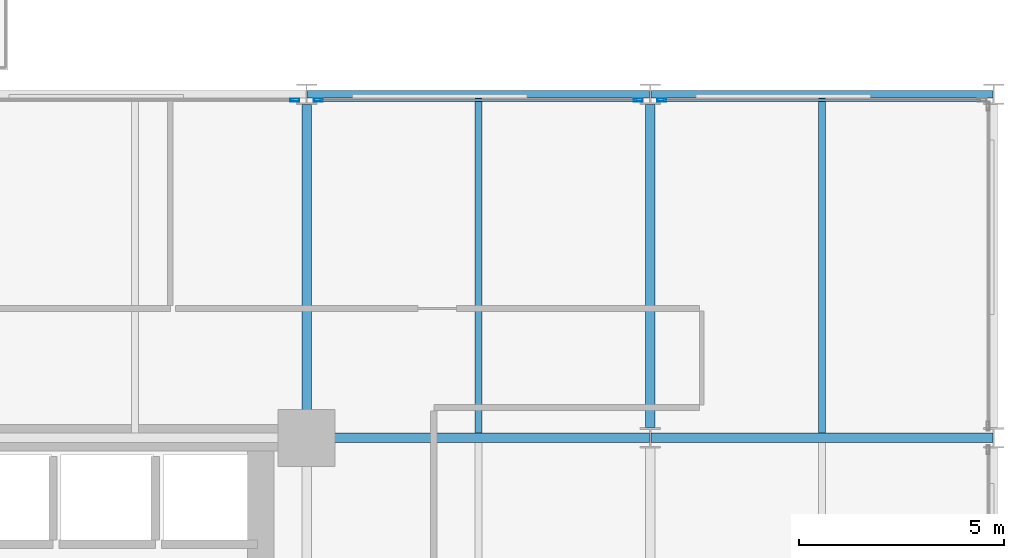
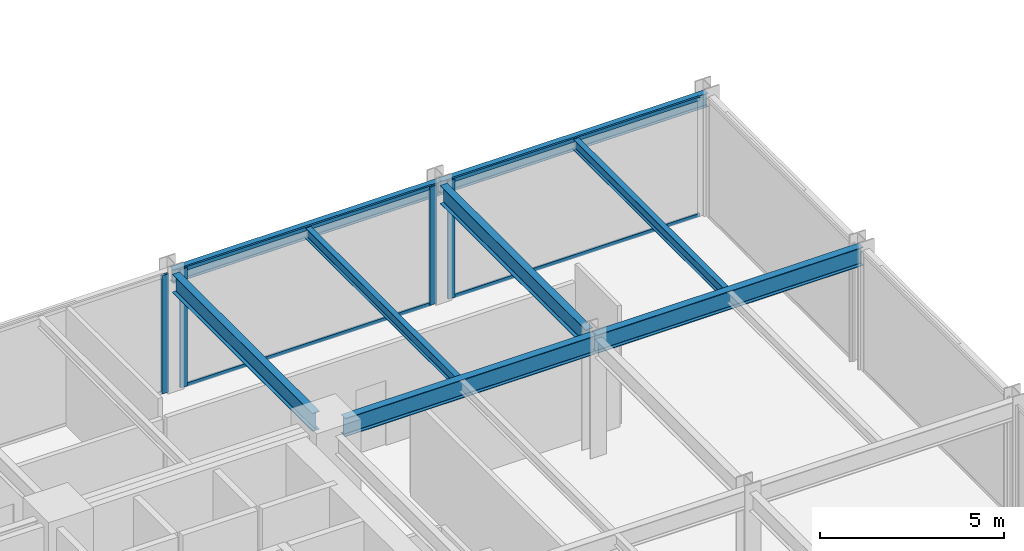
# One storey, part 12 of 24: 8 beams, 8 members, 3 elements without a shape of their own.
"""IFC4 building model written with IfcOpenShell, lengths in metres."""

import ifcopenshell
import ifcopenshell.guid

model = None  # the IFC model being written
_history = None  # IfcOwnerHistory: only IFC2X3 demands one
_inside = {}  # id of a spatial element -> (the spatial element, [elements in it])
_under = {}  # id of a project, library or spatial element -> (it, [spatial elements below it])
_declared = {}  # id of a project -> (the project, [libraries it declares])
_typed = {}  # id of a type object -> (the type object, [elements of that type])
_made_of = {}  # id of a material, layer set ... -> (it, [elements and type objects made of it])


def new_model(schema):
    """Start an empty IFC model of exactly this schema.

    Asked for "IFC4X3", IfcOpenShell would pick the latest addendum, in which some entities
    have other attributes; the version numbers below select the first issue.
    IFC2X3 requires an IfcOwnerHistory on every rooted entity: one is made here for all.
    """
    global model, _history
    if schema == "IFC4X3":
        model = ifcopenshell.file(schema_version=(4, 3, 0, 0))
    else:
        model = ifcopenshell.file(schema=schema)
    _inside.clear()
    _under.clear()
    _declared.clear()
    _typed.clear()
    _made_of.clear()
    _history = None
    if model.schema == "IFC2X3":
        org = make("IfcOrganization", Name="unknown")
        user = make(
            "IfcPersonAndOrganization",
            ThePerson=make("IfcPerson", FamilyName="unknown"),
            TheOrganization=org,
        )
        app = make(
            "IfcApplication",
            ApplicationDeveloper=org,
            Version="unknown",
            ApplicationFullName="unknown",
            ApplicationIdentifier="unknown",
        )
        _history = make(
            "IfcOwnerHistory",
            OwningUser=user,
            OwningApplication=app,
            ChangeAction="ADDED",
            CreationDate=0,
        )
    return model


def make(cls, **values):
    """One entity of the class cls with the attributes given. An attribute that is None is left unset."""
    return model.create_entity(
        cls, **{name: value for name, value in values.items() if value is not None}
    )


def rooted(cls, **values):
    """An entity with a GlobalId (a new one), such as an element, a storey or a relation."""
    return make(cls, GlobalId=ifcopenshell.guid.new(), OwnerHistory=_history, **values)


def si_unit(unit_type, name, prefix=None):
    """IfcSIUnit, for example si_unit("LENGTHUNIT", "METRE", prefix="MILLI")."""
    return make("IfcSIUnit", UnitType=unit_type, Prefix=prefix, Name=name)


def assignment(units):
    """IfcUnitAssignment: the units of a project."""
    return None if units is None else make("IfcUnitAssignment", Units=units)


def point(xyz):
    """IfcCartesianPoint."""
    return None if xyz is None else make("IfcCartesianPoint", Coordinates=xyz)


def direction(xyz):
    """IfcDirection."""
    return None if xyz is None else make("IfcDirection", DirectionRatios=xyz)


def frame(location, z_axis=None, x_axis=None):
    """IfcAxis2Placement3D, a coordinate frame: its origin and axes. An axis left out is left unset."""
    return make(
        "IfcAxis2Placement3D",
        Location=point(location),
        Axis=direction(z_axis),
        RefDirection=direction(x_axis),
    )


def frame_2d(location, x_axis=None):
    """IfcAxis2Placement2D, a coordinate frame in the plane: its origin and x axis."""
    return make(
        "IfcAxis2Placement2D", Location=point(location), RefDirection=direction(x_axis)
    )


def origin():
    """The frame at (0, 0, 0) with its axes left unset."""
    return frame((0.0, 0.0, 0.0))


def origin_2d():
    """The frame at (0, 0) in the plane with its x axis left unset."""
    return frame_2d((0.0, 0.0))


def place(relative_to, where):
    """IfcLocalPlacement: puts the frame where relative to a parent placement (None: the world)."""
    return make(
        "IfcLocalPlacement", PlacementRelTo=relative_to, RelativePlacement=where
    )


def context(
    kind, dimensions, precision=None, world=None, true_north=None, identifier=None
):
    """IfcGeometricRepresentationContext, for example the 3D "Model" context."""
    return make(
        "IfcGeometricRepresentationContext",
        ContextIdentifier=identifier,
        ContextType=kind,
        CoordinateSpaceDimension=dimensions,
        Precision=precision,
        WorldCoordinateSystem=world,
        TrueNorth=true_north,
    )


def subcontext(parent, identifier, kind, view, scale=None):
    """IfcGeometricRepresentationSubContext, for example "Body" below "Model"."""
    return make(
        "IfcGeometricRepresentationSubContext",
        ContextIdentifier=identifier,
        ContextType=kind,
        ParentContext=parent,
        TargetScale=scale,
        TargetView=view,
    )


def project(units=None, contexts=None):
    """IfcProject with its units and contexts."""
    return rooted(
        "IfcProject",
        Name="project",
        RepresentationContexts=contexts,
        UnitsInContext=assignment(units),
    )


def spatial(cls, under=None, at=None, **own):
    """A site, building, storey or space (cls), placed at a placement, below another one or the project."""
    s = rooted(cls, ObjectPlacement=at, **own)
    if under is not None:
        _under.setdefault(under.id(), (under, []))[1].append(s)
    return s


def profile(cls, at=None, kind="AREA", **sizes):
    """A parametric profile (cls). Its sizes go by their IFC names, for example OverallWidth=200.0."""
    return make(cls, ProfileType=kind, Position=at, **sizes)


def hollow_rectangle(**sizes):
    """IfcRectangleHollowProfileDef."""
    return profile("IfcRectangleHollowProfileDef", **sizes)


def i_section(**sizes):
    """IfcIShapeProfileDef."""
    return profile("IfcIShapeProfileDef", **sizes)


def extrude(swept, where, along, depth):
    """IfcExtrudedAreaSolid: the profile swept, set in the frame where, extruded along a direction by depth."""
    return make(
        "IfcExtrudedAreaSolid",
        SweptArea=swept,
        Position=where,
        ExtrudedDirection=direction(along),
        Depth=depth,
    )


def shape(context_of_items, identifier, shape_type, items):
    """IfcShapeRepresentation: the items that make up one representation, for example the "Body"."""
    return make(
        "IfcShapeRepresentation",
        ContextOfItems=context_of_items,
        RepresentationIdentifier=identifier,
        RepresentationType=shape_type,
        Items=items,
    )


def material(Name=None, Category=None):
    """IfcMaterial."""
    return make("IfcMaterial", Name=Name, Category=Category)


def layer(
    of_material, thickness, ventilated=None, Name=None, Category=None, Priority=None
):
    """IfcMaterialLayer: one layer of a wall or slab, of a material (None: an air gap)."""
    return make(
        "IfcMaterialLayer",
        Material=of_material,
        LayerThickness=thickness,
        IsVentilated=ventilated,
        Name=Name,
        Category=Category,
        Priority=Priority,
    )


def layer_set(layers, Name=None):
    """IfcMaterialLayerSet."""
    return make("IfcMaterialLayerSet", MaterialLayers=layers, LayerSetName=Name)


def material_profile(
    of_material, cross_section, Name=None, Category=None, Priority=None
):
    """IfcMaterialProfile: a cross section and its material."""
    return make(
        "IfcMaterialProfile",
        Name=Name,
        Material=of_material,
        Profile=cross_section,
        Priority=Priority,
        Category=Category,
    )


def profile_set(profiles, Name=None, composite=None):
    """IfcMaterialProfileSet."""
    return make(
        "IfcMaterialProfileSet",
        Name=Name,
        MaterialProfiles=profiles,
        CompositeProfile=composite,
    )


def made_of(thing, what):
    """Note that an element or type object is made of a material, layer set ...; save() writes the relation."""
    if what is not None:
        _made_of.setdefault(what.id(), (what, []))[1].append(thing)
    return thing


def type_object(cls, material=None, **own):
    """A type object (cls), such as IfcWallType, which elements share."""
    return made_of(rooted(cls, **own), material)


def element(
    cls,
    number,
    at=None,
    inside=None,
    cuts=None,
    type_object=None,
    material=None,
    context=None,
    identifier="Body",
    shape_type=None,
    held_by="IfcProductDefinitionShape",
    body=None,
    shapes=None,
    **own,
):
    """One element of the class cls, such as IfcWall. Its Tag is "e" and its number.

    at: its placement. inside: the storey or other place that contains it. cuts: it is an
    opening in that element (IfcRelVoidsElement). A single representation is given by context,
    identifier, shape_type and body (its items); several are given by shapes. held_by: the class
    of the entity that holds the representations. save() writes the other relations.
    """
    e = rooted(cls, Tag="e%d" % number, ObjectPlacement=at, **own)
    if body is not None:
        shapes = [shape(context, identifier, shape_type, body)]
    if shapes is not None:
        e.Representation = make(held_by, Representations=shapes)
    if inside is not None:
        _inside.setdefault(inside.id(), (inside, []))[1].append(e)
    if cuts is not None:
        rooted(
            "IfcRelVoidsElement", RelatingBuildingElement=cuts, RelatedOpeningElement=e
        )
    if type_object is not None:
        _typed.setdefault(type_object.id(), (type_object, []))[1].append(e)
    return made_of(e, material)


def aggregate(whole, parts):
    """IfcRelAggregates: a whole, such as a stair, and the parts it consists of."""
    return rooted("IfcRelAggregates", RelatingObject=whole, RelatedObjects=parts)


def save(model, path):
    """Write the relations noted so far, then the file.

    IfcRelAggregates (storeys below a building ...), IfcRelContainedInSpatialStructure (elements
    in a storey), IfcRelDefinesByType, IfcRelAssociatesMaterial and IfcRelDeclares: one each for
    every whole, place, type object, material and project.
    """
    for whole, parts in _under.values():
        aggregate(whole, parts)
    for where, things in _inside.values():
        rooted(
            "IfcRelContainedInSpatialStructure",
            RelatedElements=things,
            RelatingStructure=where,
        )
    for kind, things in _typed.values():
        rooted("IfcRelDefinesByType", RelatedObjects=things, RelatingType=kind)
    for what, things in _made_of.values():
        rooted("IfcRelAssociatesMaterial", RelatedObjects=things, RelatingMaterial=what)
    for by, libraries in _declared.values():
        rooted("IfcRelDeclares", RelatingContext=by, RelatedDefinitions=libraries)
    model.write(path)


model = new_model("IFC4")

# Units and contexts
model_context = context("Model", 3, precision=1e-05, world=origin(), true_north=direction((0.0, 1.0)))
body_context = subcontext(model_context, "Body", "Model", "MODEL_VIEW")
ifc_project = project(units=[si_unit("LENGTHUNIT", "METRE"), si_unit("AREAUNIT", "SQUARE_METRE"), si_unit("VOLUMEUNIT", "CUBIC_METRE"), si_unit("PLANEANGLEUNIT", "RADIAN"), si_unit("MASSUNIT", "GRAM", prefix="KILO")], contexts=[model_context])

# Site, building, storey
site_placement = place(None, origin())
site = spatial("IfcSite", under=ifc_project, at=site_placement, CompositionType="ELEMENT")
building_placement = place(site_placement, origin())
building = spatial("IfcBuilding", under=site, at=building_placement, Name="Nerrivon Quay Data Exchange", CompositionType="ELEMENT")
storey_placement = place(building_placement, frame((0.0, 0.0, 37.39990234375)))
storey = spatial("IfcBuildingStorey", under=building, at=storey_placement, Name="L08", CompositionType="ELEMENT", Elevation=37.39990234375)

# Beams
ifc_material_1 = material(Name="Steel Grade 350", Category="steel")
ifc_material_profile_1 = material_profile(ifc_material_1, i_section(OverallWidth=0.22900390625, OverallDepth=0.612060546875, WebThickness=0.011962890625, FlangeThickness=0.01953125, FilletRadius=0.013916015625, at=origin_2d()), Name="610UB125")
ifc_profile_set_1 = profile_set([ifc_material_profile_1], Name="Steel Grade 350")
beam_type_1 = type_object("IfcBeamType", Name="BM-G1-610UB125", PredefinedType="BEAM", material=ifc_profile_set_1)
beam_1_placement = place(storey_placement, frame((34.139892578125, 16.800048828125, 3.619140625), z_axis=(1.0, 0.0, 0.0), x_axis=(0.0, 1.0, 0.0)))
element("IfcBeam", 1, at=beam_1_placement, inside=storey, type_object=beam_type_1, Name="L08 EW Girder Y=16.8 (33.6..42.0)", PredefinedType="BEAM", context=body_context, shape_type="SweptSolid", body=[
    extrude(i_section(OverallWidth=0.22900390625, OverallDepth=0.612060546875, WebThickness=0.011962890625, FlangeThickness=0.01953125, FilletRadius=0.013916015625, at=origin_2d()), origin(), (0.0, 0.0, 1.0), 7.84619140625),
])
beam_2_placement = place(storey_placement, frame((42.013916015625, 16.800048828125, 3.619140625), z_axis=(1.0, 0.0, 0.0), x_axis=(0.0, 1.0, 0.0)))
element("IfcBeam", 2, at=beam_2_placement, inside=storey, type_object=beam_type_1, Name="L08 EW Girder Y=16.8 (42.0..50.4)", PredefinedType="BEAM", context=body_context, shape_type="SweptSolid", body=[
    extrude(i_section(OverallWidth=0.22900390625, OverallDepth=0.612060546875, WebThickness=0.011962890625, FlangeThickness=0.01953125, FilletRadius=0.013916015625, at=origin_2d()), origin(), (0.0, 0.0, 1.0), 8.3720703125),
])
ifc_material_profile_2 = material_profile(ifc_material_1, i_section(OverallWidth=0.22802734375, OverallDepth=0.60205078125, WebThickness=0.010498046875, FlangeThickness=0.014892578125, FilletRadius=0.013916015625, at=origin_2d()), Name="610UB101")
ifc_profile_set_2 = profile_set([ifc_material_profile_2], Name="Steel Grade 350")
beam_type_2 = type_object("IfcBeamType", Name="BM-G2-610UB101", PredefinedType="BEAM", material=ifc_profile_set_2)
beam_3_placement = place(storey_placement, frame((33.60009765625, 17.340087890625, 3.6240234375), z_axis=(0.0, 1.0, 0.0), x_axis=(-1.0, 0.0, 0.0)))
element("IfcBeam", 3, at=beam_3_placement, inside=storey, type_object=beam_type_2, Name="L08 NS Girder X=33.6 (16.8..25.2)", PredefinedType="BEAM", context=body_context, shape_type="SweptSolid", body=[
    extrude(i_section(OverallWidth=0.22802734375, OverallDepth=0.60205078125, WebThickness=0.010498046875, FlangeThickness=0.014892578125, FilletRadius=0.013916015625, at=origin_2d()), origin(), (0.0, 0.0, 1.0), 7.60986328125),
])
beam_4_placement = place(storey_placement, frame((42.0, 17.050048828125, 3.6240234375), z_axis=(0.0, 1.0, 0.0), x_axis=(-1.0, 0.0, 0.0)))
element("IfcBeam", 4, at=beam_4_placement, inside=storey, type_object=beam_type_2, Name="L08 NS Girder X=42.0 (16.8..25.2)", PredefinedType="BEAM", context=body_context, shape_type="SweptSolid", body=[
    extrude(i_section(OverallWidth=0.22802734375, OverallDepth=0.60205078125, WebThickness=0.010498046875, FlangeThickness=0.014892578125, FilletRadius=0.013916015625, at=origin_2d()), origin(), (0.0, 0.0, 1.0), 7.89990234375),
])
ifc_material_profile_3 = material_profile(ifc_material_1, i_section(OverallWidth=0.172119140625, OverallDepth=0.35888671875, WebThickness=0.008056640625, FlangeThickness=0.012939453125, FilletRadius=0.011474609375, at=origin_2d()), Name="360UB56.7")
ifc_profile_set_3 = profile_set([ifc_material_profile_3], Name="Steel Grade 350")
beam_type_3 = type_object("IfcBeamType", Name="BM-J3-360UB57", PredefinedType="JOIST", material=ifc_profile_set_3)
for number, where, z_axis, x_axis, name in (
    (5, (37.800048828125, 16.91455078125, 3.74560546875), (0.0, 1.0, 0.0), (-1.0, 0.0, 0.0), "L08 Secondary Joist X=37.8 (16.8..25.2)"),
    (6, (46.199951171875, 16.91455078125, 3.74560546875), (0.0, 1.0, 0.0), (-1.0, 0.0, 0.0), "L08 Secondary Joist X=46.2 (16.8..25.2)"),
):
    element("IfcBeam", number, at=place(storey_placement, frame(where, z_axis=z_axis, x_axis=x_axis)), inside=storey, type_object=beam_type_3, Name=name, PredefinedType="JOIST", context=body_context, shape_type="SweptSolid", body=[
        extrude(i_section(OverallWidth=0.172119140625, OverallDepth=0.35888671875, WebThickness=0.008056640625, FlangeThickness=0.012939453125, FilletRadius=0.011474609375, at=origin_2d()), origin(), (0.0, 0.0, 1.0), 8.1904296875),
    ])
ifc_material_profile_4 = material_profile(ifc_material_1, i_section(OverallWidth=0.18994140625, OverallDepth=0.4541015625, WebThickness=0.008544921875, FlangeThickness=0.0126953125, FilletRadius=0.011474609375, at=origin_2d()), Name="460UB67.1")
ifc_profile_set_4 = profile_set([ifc_material_profile_4], Name="Steel Grade 350")
beam_type_4 = type_object("IfcBeamType", Name="BM-SP1-460UB67", PredefinedType="SPANDREL", material=ifc_profile_set_4)
for number, where, z_axis, x_axis, name in (
    (7, (33.614013671875, 25.199951171875, 3.697998046875), (1.0, 0.0, 0.0), (0.0, 1.0, 0.0), "L08 EW Girder Y=25.2 (33.6..42.0)"),
    (8, (42.013916015625, 25.199951171875, 3.697998046875), (1.0, 0.0, 0.0), (0.0, 1.0, 0.0), "L08 EW Girder Y=25.2 (42.0..50.4)"),
):
    element("IfcBeam", number, at=place(storey_placement, frame(where, z_axis=z_axis, x_axis=x_axis)), inside=storey, type_object=beam_type_4, Name=name, PredefinedType="SPANDREL", context=body_context, shape_type="SweptSolid", body=[
        extrude(i_section(OverallWidth=0.18994140625, OverallDepth=0.4541015625, WebThickness=0.008544921875, FlangeThickness=0.0126953125, FilletRadius=0.011474609375, at=origin_2d()), origin(), (0.0, 0.0, 1.0), 8.3720703125),
    ])

# Curtain wall, member
ifc_material_2 = material(Name="Anodised aluminium 6063-T6", Category="aluminium")
ifc_layer = layer(ifc_material_2, 0.219970703125)
ifc_layer_set = layer_set([ifc_layer], Name="Anodised aluminium 6063-T6")
curtain_wall_type = type_object("IfcCurtainWallType", Name="CW-SYS-01", PredefinedType="NOTDEFINED", material=ifc_layer_set)
curtain_wall_1_placement = place(storey_placement, origin())
curtain_wall_1 = element("IfcCurtainWall", 9, at=curtain_wall_1_placement, inside=storey, type_object=curtain_wall_type, Name="L08 Unitised Curtain Wall 28", PredefinedType="NOTDEFINED")
ifc_material_profile_5 = material_profile(ifc_material_2, hollow_rectangle(XDim=0.074951171875, YDim=0.219970703125, WallThickness=0.00390625, at=origin_2d()), Name="ALU-MULL-220x75")
ifc_profile_set_5 = profile_set([ifc_material_profile_5], Name="Anodised aluminium 6063-T6")
member_type_1 = type_object("IfcMemberType", Name="CWM-220x75", PredefinedType="MULLION", material=ifc_profile_set_5)
member_1_placement = place(storey_placement, frame((33.3125, 25.06005859375, 0.0), z_axis=(0.0, 0.0, 1.0), x_axis=(0.0, 1.0, 0.0)))
member_1 = element("IfcMember", 10, at=member_1_placement, type_object=member_type_1, Name="CW01 mullion 2", PredefinedType="MULLION", context=body_context, shape_type="SweptSolid", body=[
    extrude(hollow_rectangle(XDim=0.074951171875, YDim=0.219970703125, WallThickness=0.00390625, at=origin_2d()), origin(), (0.0, 0.0, 1.0), 3.925048828125),
])
aggregate(curtain_wall_1, [member_1])

# Curtain wall, members
curtain_wall_2_placement = place(storey_placement, origin())
curtain_wall_2 = element("IfcCurtainWall", 11, at=curtain_wall_2_placement, inside=storey, type_object=curtain_wall_type, Name="L08 Unitised Curtain Wall 29", PredefinedType="NOTDEFINED")
member_2_placement = place(storey_placement, frame((33.887451171875, 25.06005859375, 0.0), z_axis=(0.0, 0.0, 1.0), x_axis=(0.0, 1.0, 0.0)))
member_2 = element("IfcMember", 12, at=member_2_placement, type_object=member_type_1, Name="CW01 mullion 1", PredefinedType="MULLION", context=body_context, shape_type="SweptSolid", body=[
    extrude(hollow_rectangle(XDim=0.074951171875, YDim=0.219970703125, WallThickness=0.00390625, at=origin_2d()), origin(), (0.0, 0.0, 1.0), 3.925048828125),
])
member_3_placement = place(storey_placement, frame((41.71240234375, 25.06005859375, 0.0), z_axis=(0.0, 0.0, 1.0), x_axis=(0.0, 1.0, 0.0)))
member_3 = element("IfcMember", 13, at=member_3_placement, type_object=member_type_1, Name="CW01 mullion 2", PredefinedType="MULLION", context=body_context, shape_type="SweptSolid", body=[
    extrude(hollow_rectangle(XDim=0.074951171875, YDim=0.219970703125, WallThickness=0.00390625, at=origin_2d()), origin(), (0.0, 0.0, 1.0), 3.925048828125),
])

# Curtain wall, member
curtain_wall_3_placement = place(storey_placement, origin())
curtain_wall_3 = element("IfcCurtainWall", 14, at=curtain_wall_3_placement, inside=storey, type_object=curtain_wall_type, Name="L08 Unitised Curtain Wall 30", PredefinedType="NOTDEFINED")
member_4_placement = place(storey_placement, frame((42.28759765625, 25.06005859375, 0.0), z_axis=(0.0, 0.0, 1.0), x_axis=(0.0, 1.0, 0.0)))
member_4 = element("IfcMember", 15, at=member_4_placement, type_object=member_type_1, Name="CW01 mullion 1", PredefinedType="MULLION", context=body_context, shape_type="SweptSolid", body=[
    extrude(hollow_rectangle(XDim=0.074951171875, YDim=0.219970703125, WallThickness=0.00390625, at=origin_2d()), origin(), (0.0, 0.0, 1.0), 3.925048828125),
])

# Member
ifc_material_profile_6 = material_profile(ifc_material_2, hollow_rectangle(XDim=0.06005859375, YDim=0.1201171875, WallThickness=0.003173828125, at=origin_2d()), Name="ALU-TRAN-120x60")
ifc_profile_set_6 = profile_set([ifc_material_profile_6], Name="Anodised aluminium 6063-T6")
member_type_2 = type_object("IfcMemberType", Name="CWT-120x60", PredefinedType="USERDEFINED", material=ifc_profile_set_6)
member_5_placement = place(storey_placement, frame((33.925048828125, 25.06005859375, 0.03271484375), z_axis=(1.0, 0.0, 0.0), x_axis=(0.0, 1.0, 0.0)))
member_5 = element("IfcMember", 16, at=member_5_placement, type_object=member_type_2, Name="CW01 transom 1.1", ObjectType="TRANSOM", PredefinedType="USERDEFINED", context=body_context, shape_type="SweptSolid", body=[
    extrude(hollow_rectangle(XDim=0.06005859375, YDim=0.1201171875, WallThickness=0.003173828125, at=origin_2d()), origin(), (0.0, 0.0, 1.0), 7.75),
])

member_6_placement = place(storey_placement, frame((33.925048828125, 25.06005859375, 3.892578125), z_axis=(1.0, 0.0, 0.0), x_axis=(0.0, 1.0, 0.0)))
member_6 = element("IfcMember", 17, at=member_6_placement, type_object=member_type_2, Name="CW01 transom 1.2", ObjectType="TRANSOM", PredefinedType="USERDEFINED", context=body_context, shape_type="SweptSolid", body=[
    extrude(hollow_rectangle(XDim=0.06005859375, YDim=0.1201171875, WallThickness=0.003173828125, at=origin_2d()), origin(), (0.0, 0.0, 1.0), 7.75),
])

aggregate(curtain_wall_2, [member_2, member_3, member_5, member_6])

member_7_placement = place(storey_placement, frame((42.324951171875, 25.06005859375, 0.03271484375), z_axis=(1.0, 0.0, 0.0), x_axis=(0.0, 1.0, 0.0)))
member_7 = element("IfcMember", 18, at=member_7_placement, type_object=member_type_2, Name="CW01 transom 1.1", ObjectType="TRANSOM", PredefinedType="USERDEFINED", context=body_context, shape_type="SweptSolid", body=[
    extrude(hollow_rectangle(XDim=0.06005859375, YDim=0.1201171875, WallThickness=0.003173828125, at=origin_2d()), origin(), (0.0, 0.0, 1.0), 7.75),
])

member_8_placement = place(storey_placement, frame((42.324951171875, 25.06005859375, 3.892578125), z_axis=(1.0, 0.0, 0.0), x_axis=(0.0, 1.0, 0.0)))
member_8 = element("IfcMember", 19, at=member_8_placement, type_object=member_type_2, Name="CW01 transom 1.2", ObjectType="TRANSOM", PredefinedType="USERDEFINED", context=body_context, shape_type="SweptSolid", body=[
    extrude(hollow_rectangle(XDim=0.06005859375, YDim=0.1201171875, WallThickness=0.003173828125, at=origin_2d()), origin(), (0.0, 0.0, 1.0), 7.75),
])

aggregate(curtain_wall_3, [member_4, member_7, member_8])

save(model, "model.ifc")
